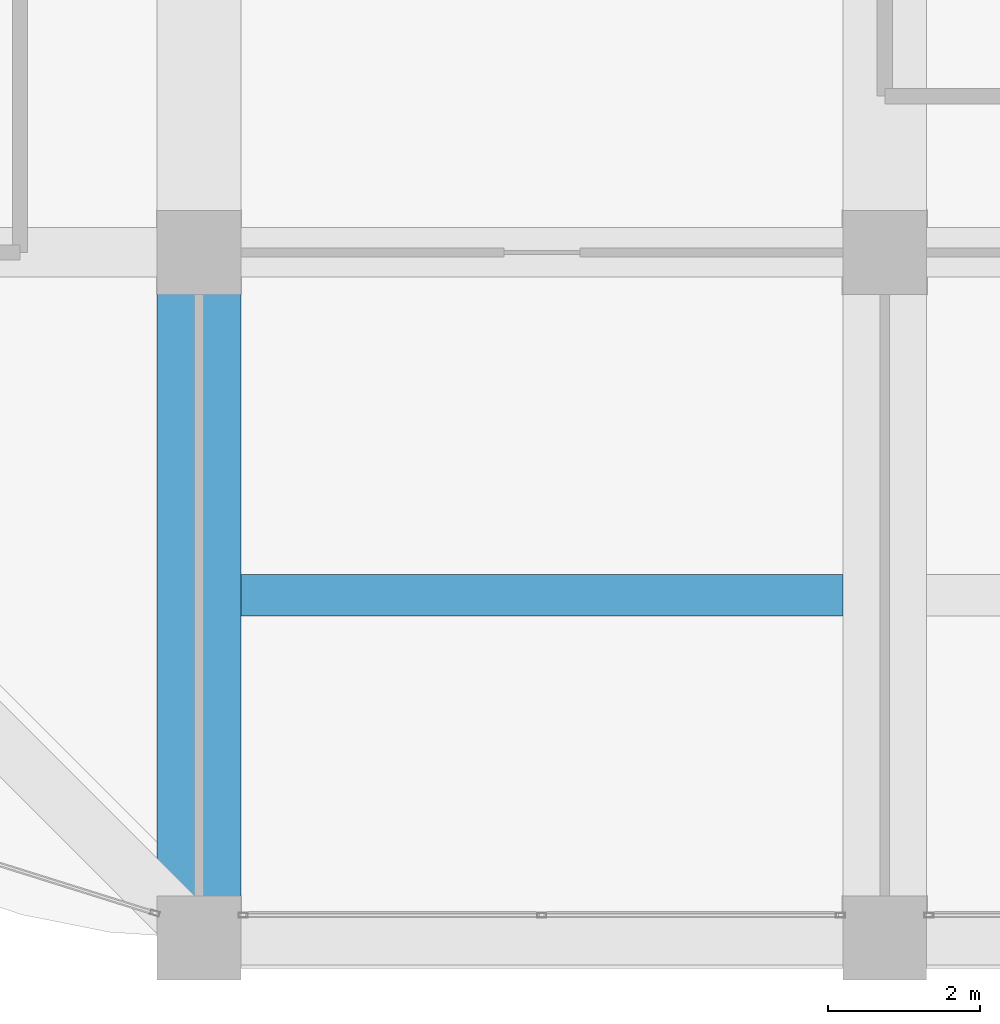
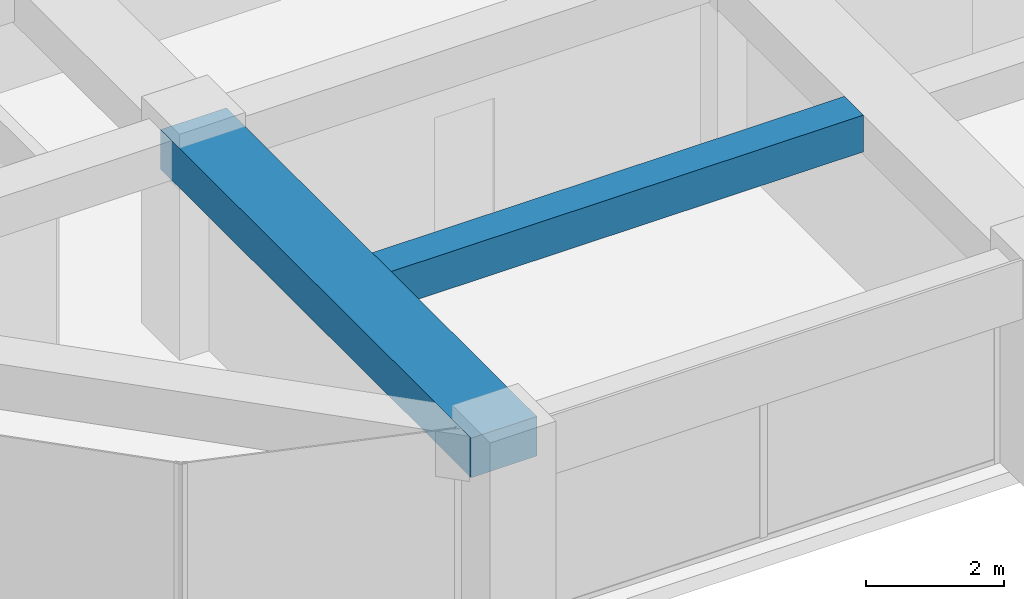
# One storey, part 5 of 44: 2 beams.
"""IFC4 building model written with IfcOpenShell, lengths in metres."""

from ifc_helpers import new_model, si_unit, direction, frame, origin, origin_2d, place, context, subcontext, project, spatial, rectangle, extrude, material, material_profile, profile_set, type_object, element, save


model = new_model("IFC4")

# Units and contexts
model_context = context("Model", 3, precision=1e-05, world=origin(), true_north=direction((0.0, 1.0)))
body_context = subcontext(model_context, "Body", "Model", "MODEL_VIEW")
ifc_project = project(units=[si_unit("LENGTHUNIT", "METRE"), si_unit("AREAUNIT", "SQUARE_METRE"), si_unit("VOLUMEUNIT", "CUBIC_METRE"), si_unit("PLANEANGLEUNIT", "RADIAN"), si_unit("MASSUNIT", "GRAM", prefix="KILO")], contexts=[model_context])

# Site, building, storey
site_placement = place(None, origin())
site = spatial("IfcSite", under=ifc_project, at=site_placement, CompositionType="ELEMENT")
building_placement = place(site_placement, origin())
building = spatial("IfcBuilding", under=site, at=building_placement, Name="Zorevar Civic Tower", CompositionType="ELEMENT")
storey_placement = place(building_placement, frame((0.0, 0.0, 263.39990234375)))
storey = spatial("IfcBuildingStorey", under=building, at=storey_placement, Name="L64", CompositionType="ELEMENT", Elevation=263.39990234375)

# Beams
ifc_material_1 = material(Name="Concrete C50/60", Category="concrete")
ifc_material_profile_1 = material_profile(ifc_material_1, rectangle(XDim=1.10009765625, YDim=0.699951171875, at=origin_2d()), Name="RC 1100x700")
ifc_profile_set_1 = profile_set([ifc_material_profile_1], Name="Concrete C50/60")
beam_type_1 = type_object("IfcBeamType", Name="Beam RC 1100x700", PredefinedType="BEAM", material=ifc_profile_set_1)
beam_1_placement = place(storey_placement, frame((18.0, 0.0, 3.400146484375), z_axis=(0.0, 1.0, 0.0), x_axis=(-1.0, 0.0, 0.0)))
element("IfcBeam", 1, at=beam_1_placement, inside=storey, type_object=beam_type_1, Name="Girder L65", PredefinedType="BEAM", context=body_context, shape_type="SweptSolid", body=[
    extrude(rectangle(XDim=1.10009765625, YDim=0.699951171875, at=origin_2d()), origin(), (0.0, 0.0, 1.0), 9.0),
])
ifc_material_2 = material(Name="Concrete C50/60", Category="concrete")
ifc_material_profile_2 = material_profile(ifc_material_2, rectangle(XDim=0.550048828125, YDim=0.64990234375, at=origin_2d()), Name="RC 550x650")
ifc_profile_set_2 = profile_set([ifc_material_profile_2], Name="Concrete C50/60")
beam_type_2 = type_object("IfcBeamType", Name="Beam RC 550x650", PredefinedType="BEAM", material=ifc_profile_set_2)
beam_2_placement = place(storey_placement, frame((18.550048828125, 4.5, 3.425048828125), z_axis=(1.0, 0.0, 0.0), x_axis=(0.0, 1.0, 0.0)))
element("IfcBeam", 2, at=beam_2_placement, inside=storey, type_object=beam_type_2, Name="Secondary beam L65", PredefinedType="BEAM", context=body_context, shape_type="SweptSolid", body=[
    extrude(rectangle(XDim=0.550048828125, YDim=0.64990234375, at=origin_2d()), origin(), (0.0, 0.0, 1.0), 7.89990234375),
])

save(model, "model.ifc")
